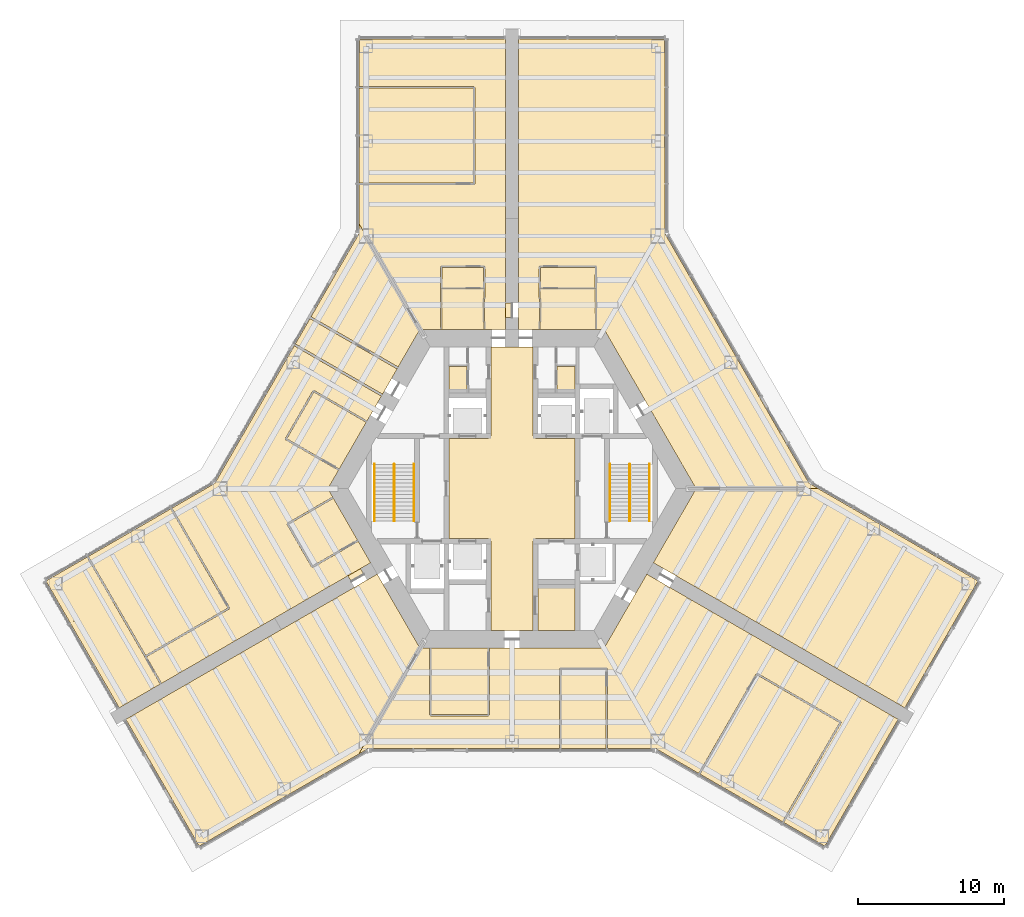
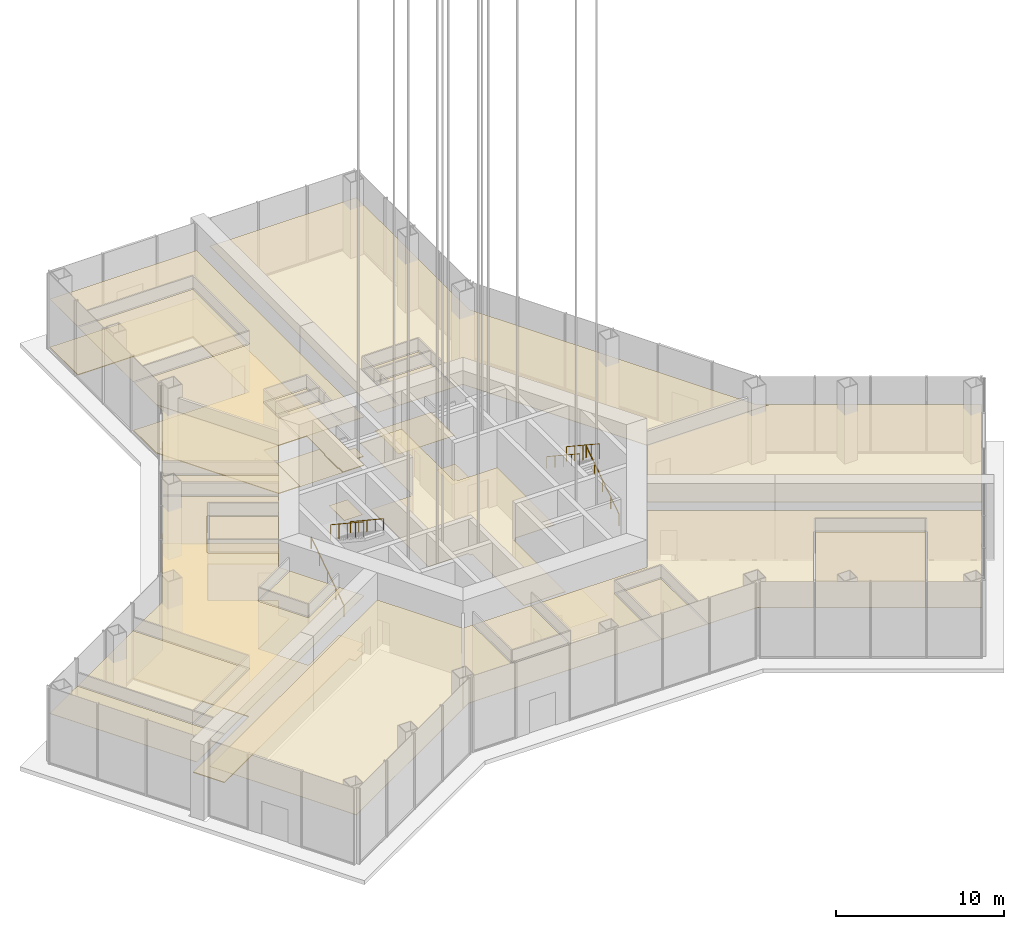
# One storey, part 17 of 18: 28 coverings, 6 railings.
"""IFC4 building model written with IfcOpenShell, lengths in metres."""

from ifc_helpers import new_model, si_unit, direction, frame, origin, origin_2d, place, context, subcontext, project, spatial, polyline, circle, outline, extrude, material, layer, layer_set, type_object, element, save


model = new_model("IFC4")

# Units and contexts
model_context = context("Model", 3, precision=1e-05, world=origin(), true_north=direction((0.0, 1.0)))
body_context = subcontext(model_context, "Body", "Model", "MODEL_VIEW")
ifc_project = project(units=[si_unit("LENGTHUNIT", "METRE"), si_unit("AREAUNIT", "SQUARE_METRE"), si_unit("VOLUMEUNIT", "CUBIC_METRE"), si_unit("PLANEANGLEUNIT", "RADIAN"), si_unit("MASSUNIT", "GRAM", prefix="KILO")], contexts=[model_context])

# Site, building, storey
site_placement = place(None, origin())
site = spatial("IfcSite", under=ifc_project, at=site_placement, CompositionType="ELEMENT")
building_placement = place(site_placement, origin())
building = spatial("IfcBuilding", under=site, at=building_placement, Name="Kasaneha Research Tower", CompositionType="ELEMENT")
storey_placement = place(building_placement, origin())
storey = spatial("IfcBuildingStorey", under=building, at=storey_placement, Name="L01", CompositionType="ELEMENT", Elevation=0.0)

# Coverings
ifc_material_1 = material(Name="Perforated aluminium acoustic ceiling", Category="aluminium")
ifc_layer_1 = layer(ifc_material_1, 0.030029296875)
ifc_layer_set_1 = layer_set([ifc_layer_1], Name="Acoustic ceiling 30")
covering_type_1 = type_object("IfcCoveringType", Name="Acoustic ceiling 30", PredefinedType="CEILING", material=ifc_layer_set_1)
covering_1_placement = place(storey_placement, frame((0.0, 0.0, 3.5)))
element("IfcCovering", 1, at=covering_1_placement, inside=storey, type_object=covering_type_1, Name="Ceiling L01-30", PredefinedType="CEILING", context=body_context, shape_type="SweptSolid", body=[
    extrude(outline(polyline([(1.89990234375, 10.925048828125), (1.89990234375, 10.945068359375), (1.949951171875, 10.945068359375), (1.949951171875, 11.425048828125), (2.0, 11.425048828125), (2.0, 13.02490234375), (1.949951171875, 13.02490234375), (1.954345703125, 13.669921875), (5.702392578125, 13.669921875), (5.70703125, 10.94482421875), (5.757080078125, 10.945068359375), (5.757080078125, 10.925048828125), (1.89990234375, 10.925048828125)])), origin(), (0.0, 0.0, 1.0), 0.030029296875),
])
covering_2_placement = place(storey_placement, frame((0.0, 0.0, 3.5)))
element("IfcCovering", 2, at=covering_2_placement, inside=storey, type_object=covering_type_1, Name="Ceiling L01-31", PredefinedType="CEILING", context=body_context, shape_type="SweptSolid", body=[
    extrude(outline(polyline([(1.954345703125, 13.77001953125), (1.9501953125, 15.175048828125), (5.706787109375, 15.175048828125), (5.702392578125, 13.77001953125), (1.954345703125, 13.77001953125)])), origin(), (0.0, 0.0, 1.0), 0.030029296875),
])
covering_3_placement = place(storey_placement, frame((0.0, 0.0, 3.5)))
element("IfcCovering", 3, at=covering_3_placement, inside=storey, type_object=covering_type_1, Name="Ceiling L01-32", PredefinedType="CEILING", context=body_context, shape_type="SweptSolid", body=[
    extrude(outline(polyline([(12.614990234375, 0.0), (6.3076171875, 10.925048828125), (5.757568359375, 10.925048828125), (5.757568359375, 10.945068359375), (5.806884765625, 10.945068359375), (5.80224609375, 13.724853515625), (5.806884765625, 15.224853515625), (5.75732421875, 15.22509765625), (5.75732421875, 15.225341796875), (5.757080078125, 15.225341796875), (5.757080078125, 15.27490234375), (1.89990234375, 15.27490234375), (1.89990234375, 15.225341796875), (1.899658203125, 15.225341796875), (1.899658203125, 15.22509765625), (1.85009765625, 15.224853515625), (1.8544921875, 13.72509765625), (1.85009765625, 13.025390625), (1.8994140625, 13.02490234375), (1.8994140625, 13.02490234375), (1.89990234375, 13.02490234375), (1.89990234375, 11.425048828125), (1.8994140625, 11.425048828125), (1.8994140625, 11.425048828125), (1.85009765625, 11.425048828125), (1.85009765625, 10.945068359375), (1.8994140625, 10.945068359375), (1.8994140625, 10.925048828125), (0.449951171875, 10.925048828125), (0.449951171875, 11.72509765625), (0.449951171875, 12.72509765625), (0.449951171875, 30.820556640625), (10.5, 30.820556640625), (10.5, 17.45458984375), (20.365966796875, 0.365966796875), (21.0, 0.0), (12.614990234375, 0.0)])), origin(), (0.0, 0.0, 1.0), 0.030029296875),
])
covering_4_placement = place(storey_placement, frame((0.0, 0.0, 3.5)))
element("IfcCovering", 4, at=covering_4_placement, inside=storey, type_object=covering_type_1, Name="Ceiling L01-33", PredefinedType="CEILING", context=body_context, shape_type="SweptSolid", body=[
    extrude(outline(polyline([(-1.89990234375, 10.925048828125), (-4.85009765625, 10.925048828125), (-4.85009765625, 10.945068359375), (-4.800048828125, 10.94482421875), (-4.79541015625, 13.669921875), (-1.9541015625, 13.669921875), (-1.949951171875, 13.02490234375), (-2.0, 13.02490234375), (-2.0, 11.425048828125), (-1.949951171875, 11.425048828125), (-1.949951171875, 10.945068359375), (-1.89990234375, 10.945068359375), (-1.89990234375, 10.925048828125)])), origin(), (0.0, 0.0, 1.0), 0.030029296875),
])
covering_5_placement = place(storey_placement, frame((0.0, 0.0, 3.5)))
element("IfcCovering", 5, at=covering_5_placement, inside=storey, type_object=covering_type_1, Name="Ceiling L01-34", PredefinedType="CEILING", context=body_context, shape_type="SweptSolid", body=[
    extrude(outline(polyline([(-1.954345703125, 13.77001953125), (-4.79541015625, 13.77001953125), (-4.7998046875, 15.175048828125), (-1.9501953125, 15.175048828125), (-1.954345703125, 13.77001953125)])), origin(), (0.0, 0.0, 1.0), 0.030029296875),
])
covering_6_placement = place(storey_placement, frame((0.0, 0.0, 3.5)))
element("IfcCovering", 6, at=covering_6_placement, inside=storey, type_object=covering_type_1, Name="Ceiling L01-35", PredefinedType="CEILING", context=body_context, shape_type="SweptSolid", body=[
    extrude(outline(polyline([(-10.5, 27.460693359375), (-2.64990234375, 27.460693359375), (-2.64990234375, 20.941162109375), (-10.5, 20.941162109375), (-10.5, 27.460693359375)])), origin(), (0.0, 0.0, 1.0), 0.030029296875),
])
covering_7_placement = place(storey_placement, frame((0.0, 0.0, 3.5)))
element("IfcCovering", 7, at=covering_7_placement, inside=storey, type_object=covering_type_1, Name="Ceiling L01-36", PredefinedType="CEILING", context=body_context, shape_type="SweptSolid", body=[
    extrude(outline(polyline([(-1.8994140625, 10.925048828125), (-1.8994140625, 10.945068359375), (-1.85009765625, 10.945068359375), (-1.85009765625, 11.425048828125), (-1.8994140625, 11.425048828125), (-1.8994140625, 11.425048828125), (-1.89990234375, 11.425048828125), (-1.89990234375, 13.02490234375), (-1.8994140625, 13.02490234375), (-1.8994140625, 13.02490234375), (-1.85009765625, 13.025390625), (-1.8544921875, 13.72509765625), (-1.85009765625, 15.224853515625), (-1.899658203125, 15.22509765625), (-1.899658203125, 15.225341796875), (-1.89990234375, 15.225341796875), (-1.89990234375, 15.27490234375), (-4.85009765625, 15.27490234375), (-4.85009765625, 15.2255859375), (-4.85009765625, 15.2255859375), (-4.85009765625, 15.22509765625), (-4.89990234375, 15.224853515625), (-4.895263671875, 13.724853515625), (-4.89990234375, 10.945068359375), (-4.8505859375, 10.945068359375), (-4.8505859375, 10.925048828125), (-6.3076171875, 10.925048828125), (-10.5, 18.1865234375), (-10.5, 20.841064453125), (-2.60009765625, 20.841064453125), (-2.60009765625, 20.89111328125), (-2.599609375, 20.89111328125), (-2.599609375, 20.89111328125), (-2.550048828125, 20.89111328125), (-2.550048828125, 27.5107421875), (-2.599609375, 27.5107421875), (-2.599609375, 27.510986328125), (-2.60009765625, 27.510986328125), (-2.60009765625, 27.560791015625), (-10.5, 27.560791015625), (-10.5, 30.820556640625), (-0.449951171875, 30.820556640625), (-0.449951171875, 12.72509765625), (-0.449951171875, 11.72509765625), (-0.449951171875, 10.925048828125), (-1.8994140625, 10.925048828125)])), origin(), (0.0, 0.0, 1.0), 0.030029296875),
])
covering_8_placement = place(storey_placement, frame((0.0, 0.0, 3.5)))
element("IfcCovering", 8, at=covering_8_placement, inside=storey, type_object=covering_type_1, Name="Ceiling L01-37", PredefinedType="CEILING", context=body_context, shape_type="SweptSolid", body=[
    extrude(outline(polyline([(-23.34228515625, -1.352294921875), (-23.332275390625, -1.36962890625), (-23.37548828125, -1.39453125), (-19.46044921875, -8.175537109375), (-25.10400390625, -11.42919921875), (-29.03173828125, -4.63720703125), (-23.34228515625, -1.352294921875)])), origin(), (0.0, 0.0, 1.0), 0.030029296875),
])
covering_9_placement = place(storey_placement, frame((0.0, 0.0, 3.5)))
element("IfcCovering", 9, at=covering_9_placement, inside=storey, type_object=covering_type_1, Name="Ceiling L01-38", PredefinedType="CEILING", context=body_context, shape_type="SweptSolid", body=[
    extrude(outline(polyline([(-10.50048828125, 17.45458984375), (-10.5, 18.18701171875), (-6.30712890625, 10.9248046875), (-7.819580078125, 8.30615234375), (-7.800537109375, 8.3388671875), (-13.7548828125, 11.776611328125), (-13.79248046875, 11.711669921875), (-13.809814453125, 11.7216796875), (-10.50048828125, 17.45458984375)])), origin(), (0.0, 0.0, 1.0), 0.030029296875),
])
covering_10_placement = place(storey_placement, frame((0.0, 0.0, 3.5)))
element("IfcCovering", 10, at=covering_10_placement, inside=storey, type_object=covering_type_1, Name="Ceiling L01-39", PredefinedType="CEILING", context=body_context, shape_type="SweptSolid", body=[
    extrude(outline(polyline([(-29.501220703125, -8.7763671875), (-30.266845703125, -9.218017578125), (-31.94189453125, -6.317138671875), (-29.075439453125, -4.661865234375), (-29.0751953125, -4.662353515625), (-29.1181640625, -4.68701171875), (-25.16552734375, -11.522216796875), (-25.169921875, -11.52490234375), (-24.111083984375, -13.37744140625), (-24.067626953125, -13.352783203125), (-24.0576171875, -13.3701171875), (-26.916259765625, -15.0205078125), (-30.266357421875, -9.21826171875), (-29.501220703125, -8.7763671875)])), origin(), (0.0, 0.0, 1.0), 0.030029296875),
])
covering_11_placement = place(storey_placement, frame((0.0, 0.0, 3.5)))
element("IfcCovering", 11, at=covering_11_placement, inside=storey, type_object=covering_type_1, Name="Ceiling L01-40", PredefinedType="CEILING", context=body_context, shape_type="SweptSolid", body=[
    extrude(outline(polyline([(-11.861328125, 1.3056640625), (-11.878662109375, 1.315673828125), (-11.853515625, 1.35888671875), (-15.430419921875, 3.423828125), (-13.580322265625, 6.628173828125), (-10.003662109375, 4.563232421875), (-9.978515625, 4.6064453125), (-9.96142578125, 4.596435546875), (-11.861328125, 1.3056640625)])), origin(), (0.0, 0.0, 1.0), 0.030029296875),
])
covering_12_placement = place(storey_placement, frame((0.0, 0.0, 3.5)))
element("IfcCovering", 12, at=covering_12_placement, inside=storey, type_object=covering_type_1, Name="Ceiling L01-41", PredefinedType="CEILING", context=body_context, shape_type="SweptSolid", body=[
    extrude(outline(polyline([(-10.561279296875, -3.55712890625), (-10.57861328125, -3.567138671875), (-10.603515625, -3.52392578125), (-13.66064453125, -5.288818359375), (-15.310791015625, -2.43115234375), (-12.253662109375, -0.666015625), (-12.278564453125, -0.622802734375), (-12.26123046875, -0.61279296875), (-10.561279296875, -3.55712890625)])), origin(), (0.0, 0.0, 1.0), 0.030029296875),
])
covering_13_placement = place(storey_placement, frame((0.0, 0.0, 3.5)))
element("IfcCovering", 13, at=covering_13_placement, inside=storey, type_object=covering_type_1, Name="Ceiling L01-42", PredefinedType="CEILING", context=body_context, shape_type="SweptSolid", body=[
    extrude(outline(polyline([(-12.614990234375, 0.0), (-12.261474609375, -0.6123046875), (-12.27880859375, -0.622314453125), (-12.3037109375, -0.57958984375), (-15.404052734375, -2.369384765625), (-15.37890625, -2.412841796875), (-15.37939453125, -2.4130859375), (-15.37939453125, -2.4130859375), (-15.42236328125, -2.437744140625), (-13.722412109375, -5.382080078125), (-13.679443359375, -5.357421875), (-13.67919921875, -5.357666015625), (-13.6787109375, -5.357421875), (-13.654052734375, -5.400390625), (-10.5537109375, -3.610595703125), (-10.578369140625, -3.567626953125), (-10.56103515625, -3.5576171875), (-9.686279296875, -5.07275390625), (-17.831787109375, -9.775634765625), (-24.0576171875, -13.3701171875), (-24.067626953125, -13.352783203125), (-24.024169921875, -13.327880859375), (-25.058349609375, -11.518310546875), (-19.3671875, -8.2373046875), (-19.39208984375, -8.194091796875), (-19.3916015625, -8.19384765625), (-19.391845703125, -8.193603515625), (-19.348876953125, -8.1689453125), (-23.288818359375, -1.344482421875), (-23.331787109375, -1.369384765625), (-23.341796875, -1.35205078125), (-20.365966796875, 0.365966796875), (-14.885498046875, 9.858642578125), (-14.8681640625, 9.8486328125), (-14.90576171875, 9.78369140625), (-8.951416015625, 6.345947265625), (-9.161376953125, 5.982177734375), (-9.156982421875, 5.9794921875), (-9.757080078125, 4.9404296875), (-9.76123046875, 4.94287109375), (-9.961181640625, 4.596923828125), (-9.978271484375, 4.60693359375), (-9.95361328125, 4.64990234375), (-13.573486328125, 6.73974609375), (-13.598388671875, 6.69677734375), (-13.598876953125, 6.697021484375), (-13.598876953125, 6.69677734375), (-13.641845703125, 6.721435546875), (-15.5419921875, 3.4306640625), (-15.4990234375, 3.40576171875), (-15.4990234375, 3.405517578125), (-15.498779296875, 3.4052734375), (-15.523681640625, 3.3623046875), (-11.903564453125, 1.272216796875), (-11.87890625, 1.315185546875), (-11.861572265625, 1.30517578125), (-12.614990234375, 0.0)])), origin(), (0.0, 0.0, 1.0), 0.030029296875),
])
covering_14_placement = place(storey_placement, frame((0.0, 0.0, 3.5)))
element("IfcCovering", 14, at=covering_14_placement, inside=storey, type_object=covering_type_1, Name="Ceiling L01-43", PredefinedType="CEILING", context=body_context, shape_type="SweptSolid", body=[
    extrude(outline(polyline([(-13.81005859375, 11.72119140625), (-13.792724609375, 11.711181640625), (-13.830078125, 11.646728515625), (-7.87548828125, 8.208984375), (-7.838134765625, 8.27392578125), (-7.833740234375, 8.271484375), (-8.909423828125, 6.408203125), (-8.913818359375, 6.410888671875), (-8.876220703125, 6.475830078125), (-14.830810546875, 9.91357421875), (-14.8681640625, 9.8486328125), (-14.885498046875, 9.858642578125), (-13.81005859375, 11.72119140625)])), origin(), (0.0, 0.0, 1.0), 0.030029296875),
])
covering_15_placement = place(storey_placement, frame((0.0, 0.0, 3.5)))
element("IfcCovering", 15, at=covering_15_placement, inside=storey, type_object=covering_type_1, Name="Ceiling L01-44", PredefinedType="CEILING", context=body_context, shape_type="SweptSolid", body=[
    extrude(outline(polyline([(-9.236328125, -5.852294921875), (-6.3076171875, -10.925048828125), (-10.5, -18.1865234375), (-21.44140625, -24.50341796875), (-26.46630859375, -15.800048828125), (-9.92919921875, -6.252197265625), (-9.92919921875, -6.252197265625), (-9.236328125, -5.852294921875)])), origin(), (0.0, 0.0, 1.0), 0.030029296875),
])
covering_16_placement = place(storey_placement, frame((0.0, 0.0, 3.5)))
element("IfcCovering", 16, at=covering_16_placement, inside=storey, type_object=covering_type_1, Name="Ceiling L01-45", PredefinedType="CEILING", context=body_context, shape_type="SweptSolid", body=[
    extrude(outline(polyline([(9.686279296875, -5.07275390625), (12.614990234375, 0.0), (21.0, 0.0), (31.94140625, -6.31689453125), (26.916259765625, -15.0205078125), (15.9169921875, -8.670166015625), (9.686279296875, -5.07275390625)])), origin(), (0.0, 0.0, 1.0), 0.030029296875),
])
covering_17_placement = place(storey_placement, frame((0.0, 0.0, 3.5)))
element("IfcCovering", 17, at=covering_17_placement, inside=storey, type_object=covering_type_1, Name="Ceiling L01-46", PredefinedType="CEILING", context=body_context, shape_type="SweptSolid", body=[
    extrude(outline(polyline([(12.84228515625, -19.538818359375), (12.84228515625, -19.538818359375), (12.885498046875, -19.563720703125), (16.810546875, -12.765380859375), (22.456787109375, -16.025390625), (18.541748046875, -22.806396484375), (18.5849609375, -22.831298828125), (18.574951171875, -22.8486328125), (12.84228515625, -19.538818359375)])), origin(), (0.0, 0.0, 1.0), 0.030029296875),
])
covering_18_placement = place(storey_placement, frame((0.0, 0.0, 3.5)))
element("IfcCovering", 18, at=covering_18_placement, inside=storey, type_object=covering_type_1, Name="Ceiling L01-47", PredefinedType="CEILING", context=body_context, shape_type="SweptSolid", body=[
    extrude(outline(polyline([(3.309814453125, -17.820556640625), (3.309814453125, -17.800537109375), (3.35986328125, -17.800537109375), (3.35986328125, -12.37060546875), (6.44287109375, -12.37060546875), (6.44287109375, -17.800537109375), (6.492919921875, -17.800537109375), (6.492919921875, -17.820556640625), (3.309814453125, -17.820556640625)])), origin(), (0.0, 0.0, 1.0), 0.030029296875),
])
covering_19_placement = place(storey_placement, frame((0.0, 0.0, 3.5)))
element("IfcCovering", 19, at=covering_19_placement, inside=storey, type_object=covering_type_1, Name="Ceiling L01-48", PredefinedType="CEILING", context=body_context, shape_type="SweptSolid", body=[
    extrude(outline(polyline([(-1.60009765625, -10.925048828125), (-1.60009765625, -10.945068359375), (-1.64990234375, -10.945068359375), (-1.64990234375, -15.47509765625), (-5.550048828125, -15.47509765625), (-5.550048828125, -10.945068359375), (-5.60009765625, -10.945068359375), (-5.60009765625, -10.925048828125), (-1.60009765625, -10.925048828125)])), origin(), (0.0, 0.0, 1.0), 0.030029296875),
])
covering_20_placement = place(storey_placement, frame((0.0, 0.0, 3.5)))
element("IfcCovering", 20, at=covering_20_placement, inside=storey, type_object=covering_type_1, Name="Ceiling L01-49", PredefinedType="CEILING", context=body_context, shape_type="SweptSolid", body=[
    extrude(outline(polyline([(6.492919921875, -12.3203125), (6.492919921875, -12.2705078125), (3.309814453125, -12.2705078125), (3.309814453125, -12.320556640625), (3.259765625, -12.320556640625), (3.259765625, -17.800537109375), (3.309326171875, -17.800537109375), (3.309326171875, -17.820556640625), (-9.865966796875, -17.820556640625), (-10.5, -18.1865234375), (-6.3076171875, -10.925048828125), (-5.6005859375, -10.925048828125), (-5.6005859375, -10.945068359375), (-5.64990234375, -10.945068359375), (-5.64990234375, -15.52490234375), (-5.600341796875, -15.52490234375), (-5.600341796875, -15.525390625), (-5.60009765625, -15.525390625), (-5.60009765625, -15.574951171875), (-1.60009765625, -15.574951171875), (-1.60009765625, -15.525390625), (-1.599853515625, -15.525390625), (-1.599853515625, -15.52490234375), (-1.550048828125, -15.52490234375), (-1.550048828125, -10.945068359375), (-1.599609375, -10.945068359375), (-1.599609375, -10.925048828125), (6.3076171875, -10.925048828125), (9.236328125, -5.852294921875), (26.46630859375, -15.800048828125), (21.44140625, -24.50341796875), (18.575439453125, -22.848876953125), (18.58544921875, -22.83154296875), (18.62841796875, -22.856201171875), (22.568359375, -16.031982421875), (22.525146484375, -16.007080078125), (22.525390625, -16.0068359375), (22.525146484375, -16.006591796875), (22.550048828125, -15.963623046875), (16.817138671875, -12.65380859375), (16.79248046875, -12.69677734375), (16.79248046875, -12.69677734375), (16.792236328125, -12.697265625), (16.748779296875, -12.672119140625), (12.798828125, -19.513916015625), (12.841796875, -19.53857421875), (12.841796875, -19.53857421875), (9.865966796875, -17.820556640625), (6.493408203125, -17.820556640625), (6.493408203125, -17.800537109375), (6.542724609375, -17.800537109375), (6.542724609375, -12.320556640625), (6.4931640625, -12.320556640625), (6.4931640625, -12.3203125), (6.492919921875, -12.3203125)])), origin(), (0.0, 0.0, 1.0), 0.030029296875),
])
ifc_material_2 = material(Name="Granite on mortar bed", Category="masonry")
ifc_layer_2 = layer(ifc_material_2, 0.050048828125)
ifc_layer_set_2 = layer_set([ifc_layer_2], Name="Granite floor 50")
covering_type_2 = type_object("IfcCoveringType", Name="Granite floor 50", PredefinedType="FLOORING", material=ifc_layer_set_2)
covering_21_placement = place(storey_placement, origin())
element("IfcCovering", 21, at=covering_21_placement, inside=storey, type_object=covering_type_2, Name="Floor finish L01-36", PredefinedType="FLOORING", context=body_context, shape_type="SweptSolid", body=[
    extrude(outline(polyline([(-0.449951171875, 12.72509765625), (-0.02490234375, 12.72509765625), (-0.02490234375, 11.72509765625), (-0.449951171875, 11.72509765625), (-0.449951171875, 10.925048828125), (-1.8994140625, 10.925048828125), (-1.8994140625, 11.425048828125), (-1.949462890625, 11.425537109375), (-1.949462890625, 13.0244140625), (-1.8994140625, 13.02490234375), (-1.899658203125, 15.225341796875), (-4.85009765625, 15.2255859375), (-4.8505859375, 10.925048828125), (-6.3076171875, 10.925048828125), (-10.5, 18.1865234375), (-10.5, 20.890625), (-2.599609375, 20.89111328125), (-2.599609375, 27.510986328125), (-10.5, 27.51123046875), (-10.5, 30.820556640625), (-0.449951171875, 30.820556640625), (-0.449951171875, 12.72509765625)])), origin(), (0.0, 0.0, 1.0), 0.050048828125),
])
covering_22_placement = place(storey_placement, origin())
element("IfcCovering", 22, at=covering_22_placement, inside=storey, type_object=covering_type_2, Name="Floor finish L01-42", PredefinedType="FLOORING", context=body_context, shape_type="SweptSolid", body=[
    extrude(outline(polyline([(-15.4990234375, 3.405517578125), (-11.861572265625, 1.30517578125), (-12.614990234375, 0.0), (-12.261474609375, -0.6123046875), (-15.37939453125, -2.4130859375), (-13.67919921875, -5.357666015625), (-10.56103515625, -3.5576171875), (-9.686279296875, -5.07275390625), (-10.379150390625, -5.472900390625), (-10.166748046875, -5.8408203125), (-11.03271484375, -6.3408203125), (-11.2451171875, -5.972900390625), (-24.0576171875, -13.3701171875), (-25.132080078125, -11.509033203125), (-19.3916015625, -8.19384765625), (-23.341796875, -1.35205078125), (-20.365966796875, 0.365966796875), (-14.885498046875, 9.858642578125), (-8.913818359375, 6.410888671875), (-9.161376953125, 5.982177734375), (-9.156982421875, 5.9794921875), (-9.757080078125, 4.9404296875), (-9.76123046875, 4.94287109375), (-9.961181640625, 4.596923828125), (-13.598876953125, 6.697021484375), (-15.4990234375, 3.405517578125)])), origin(), (0.0, 0.0, 1.0), 0.050048828125),
])
ifc_material_3 = material(Name="Aluminium panel ceiling", Category="aluminium")
ifc_layer_3 = layer(ifc_material_3, 0.0400390625)
ifc_layer_set_3 = layer_set([ifc_layer_3], Name="Lift lobby ceiling 40")
covering_type_3 = type_object("IfcCoveringType", Name="Lift lobby ceiling 40", PredefinedType="CEILING", material=ifc_layer_set_3)
covering_23_placement = place(storey_placement, frame((0.0, 0.0, 2.699951171875)))
element("IfcCovering", 23, at=covering_23_placement, inside=storey, type_object=covering_type_3, Name="Ceiling L01-01", PredefinedType="CEILING", context=body_context, shape_type="SweptSolid", body=[
    extrude(outline(polyline([(1.425048828125, 9.72509765625), (1.425048828125, 3.60009765625), (1.60009765625, 3.60009765625), (1.60009765625, 3.425048828125), (4.324951171875, 3.425048828125), (4.324951171875, -3.425048828125), (1.60009765625, -3.425048828125), (1.60009765625, -3.60009765625), (1.425048828125, -3.60009765625), (1.425048828125, -9.72509765625), (-1.425048828125, -9.72509765625), (-1.425048828125, -3.60009765625), (-1.60009765625, -3.60009765625), (-1.60009765625, -3.425048828125), (-4.324951171875, -3.425048828125), (-4.324951171875, 3.425048828125), (-1.60009765625, 3.425048828125), (-1.60009765625, 3.60009765625), (-1.425048828125, 3.60009765625), (-1.425048828125, 9.72509765625), (1.425048828125, 9.72509765625)])), origin(), (0.0, 0.0, 1.0), 0.0400390625),
])

# Railings
ifc_material_4 = material(Name="Steel", Category="steel")
railing_type_1 = type_object("IfcRailingType", Name="Stair balustrade 1100", PredefinedType="GUARDRAIL", material=ifc_material_4)
for number, where, name in (
    (24, (8.074951171875, 1.675048828125, 2.921875), "Stair 1 balustrade L01"),
    (25, (-8.074951171875, 1.675048828125, 2.921875), "Stair 2 balustrade L01"),
):
    element("IfcRailing", number, at=place(storey_placement, frame(where)), inside=storey, type_object=railing_type_1, Name=name, PredefinedType="GUARDRAIL", context=body_context, shape_type="SweptSolid", body=[
        extrude(circle(Radius=0.02392578125, at=origin_2d()), frame((0.0, 0.0, 1.076171875), z_axis=(0.0, -0.834213067308, 0.551442252944), x_axis=(1.0, 0.0, 0.0)), (0.0, 0.0, 1.0), 4.67529296875),
        extrude(circle(Radius=0.02099609375, at=origin_2d()), origin(), (0.0, 0.0, 1.0), 1.052001953125),
        extrude(circle(Radius=0.02099609375, at=origin_2d()), frame((0.0, -0.97509765625, 0.64453125)), (0.0, 0.0, 1.0), 1.052001953125),
        extrude(circle(Radius=0.02099609375, at=origin_2d()), frame((0.0, -1.9501953125, 1.2890625)), (0.0, 0.0, 1.0), 1.052001953125),
        extrude(circle(Radius=0.02099609375, at=origin_2d()), frame((0.0, -2.925048828125, 1.93359375)), (0.0, 0.0, 1.0), 1.052001953125),
        extrude(circle(Radius=0.02099609375, at=origin_2d()), frame((0.0, -3.900146484375, 2.578125)), (0.0, 0.0, 1.0), 1.052001953125),
    ])
ifc_material_5 = material(Name="Steel", Category="steel")
railing_type_2 = type_object("IfcRailingType", Name="Stair handrail 850", PredefinedType="HANDRAIL", material=ifc_material_5)
railing_1_placement = place(storey_placement, frame((9.425048828125, -2.22509765625, 0.171875)))
element("IfcRailing", 26, at=railing_1_placement, inside=storey, type_object=railing_type_2, Name="Stair 1 handrail L01", PredefinedType="HANDRAIL", context=body_context, shape_type="SweptSolid", body=[
    extrude(circle(Radius=0.02392578125, at=origin_2d()), frame((0.0, 0.0, 0.826171875), z_axis=(0.0, 0.834213067308, 0.551442252944), x_axis=(-1.0, 0.0, 0.0)), (0.0, 0.0, 1.0), 4.67529296875),
    extrude(circle(Radius=0.02099609375, at=origin_2d()), origin(), (0.0, 0.0, 1.0), 0.802001953125),
    extrude(circle(Radius=0.02099609375, at=origin_2d()), frame((0.0, 0.97509765625, 0.64453125)), (0.0, 0.0, 1.0), 0.802001953125),
    extrude(circle(Radius=0.02099609375, at=origin_2d()), frame((0.0, 1.9501953125, 1.2890625)), (0.0, 0.0, 1.0), 0.802001953125),
    extrude(circle(Radius=0.02099609375, at=origin_2d()), frame((0.0, 2.925048828125, 1.93359375)), (0.0, 0.0, 1.0), 0.802001953125),
    extrude(circle(Radius=0.02099609375, at=origin_2d()), frame((0.0, 3.900146484375, 2.578125)), (0.0, 0.0, 1.0), 0.802001953125),
])
railing_2_placement = place(storey_placement, frame((6.72509765625, 1.675048828125, 2.921875)))
element("IfcRailing", 27, at=railing_2_placement, inside=storey, type_object=railing_type_2, Name="Stair 1 handrail L01", PredefinedType="HANDRAIL", context=body_context, shape_type="SweptSolid", body=[
    extrude(circle(Radius=0.02392578125, at=origin_2d()), frame((0.0, 0.0, 0.826171875), z_axis=(0.0, -0.834213067308, 0.551442252944), x_axis=(1.0, 0.0, 0.0)), (0.0, 0.0, 1.0), 4.67529296875),
    extrude(circle(Radius=0.02099609375, at=origin_2d()), origin(), (0.0, 0.0, 1.0), 0.802001953125),
    extrude(circle(Radius=0.02099609375, at=origin_2d()), frame((0.0, -0.97509765625, 0.64453125)), (0.0, 0.0, 1.0), 0.802001953125),
    extrude(circle(Radius=0.02099609375, at=origin_2d()), frame((0.0, -1.9501953125, 1.2890625)), (0.0, 0.0, 1.0), 0.802001953125),
    extrude(circle(Radius=0.02099609375, at=origin_2d()), frame((0.0, -2.925048828125, 1.93359375)), (0.0, 0.0, 1.0), 0.802001953125),
    extrude(circle(Radius=0.02099609375, at=origin_2d()), frame((0.0, -3.900146484375, 2.578125)), (0.0, 0.0, 1.0), 0.802001953125),
])
railing_3_placement = place(storey_placement, frame((-9.425048828125, -2.22509765625, 0.171875)))
element("IfcRailing", 28, at=railing_3_placement, inside=storey, type_object=railing_type_2, Name="Stair 2 handrail L01", PredefinedType="HANDRAIL", context=body_context, shape_type="SweptSolid", body=[
    extrude(circle(Radius=0.02392578125, at=origin_2d()), frame((0.0, 0.0, 0.826171875), z_axis=(0.0, 0.834213067308, 0.551442252944), x_axis=(-1.0, 0.0, 0.0)), (0.0, 0.0, 1.0), 4.67529296875),
    extrude(circle(Radius=0.02099609375, at=origin_2d()), origin(), (0.0, 0.0, 1.0), 0.802001953125),
    extrude(circle(Radius=0.02099609375, at=origin_2d()), frame((0.0, 0.97509765625, 0.64453125)), (0.0, 0.0, 1.0), 0.802001953125),
    extrude(circle(Radius=0.02099609375, at=origin_2d()), frame((0.0, 1.9501953125, 1.2890625)), (0.0, 0.0, 1.0), 0.802001953125),
    extrude(circle(Radius=0.02099609375, at=origin_2d()), frame((0.0, 2.925048828125, 1.93359375)), (0.0, 0.0, 1.0), 0.802001953125),
    extrude(circle(Radius=0.02099609375, at=origin_2d()), frame((0.0, 3.900146484375, 2.578125)), (0.0, 0.0, 1.0), 0.802001953125),
])
railing_4_placement = place(storey_placement, frame((-6.72509765625, 1.675048828125, 2.921875)))
element("IfcRailing", 29, at=railing_4_placement, inside=storey, type_object=railing_type_2, Name="Stair 2 handrail L01", PredefinedType="HANDRAIL", context=body_context, shape_type="SweptSolid", body=[
    extrude(circle(Radius=0.02392578125, at=origin_2d()), frame((0.0, 0.0, 0.826171875), z_axis=(0.0, -0.834213067308, 0.551442252944), x_axis=(1.0, 0.0, 0.0)), (0.0, 0.0, 1.0), 4.67529296875),
    extrude(circle(Radius=0.02099609375, at=origin_2d()), origin(), (0.0, 0.0, 1.0), 0.802001953125),
    extrude(circle(Radius=0.02099609375, at=origin_2d()), frame((0.0, -0.97509765625, 0.64453125)), (0.0, 0.0, 1.0), 0.802001953125),
    extrude(circle(Radius=0.02099609375, at=origin_2d()), frame((0.0, -1.9501953125, 1.2890625)), (0.0, 0.0, 1.0), 0.802001953125),
    extrude(circle(Radius=0.02099609375, at=origin_2d()), frame((0.0, -2.925048828125, 1.93359375)), (0.0, 0.0, 1.0), 0.802001953125),
    extrude(circle(Radius=0.02099609375, at=origin_2d()), frame((0.0, -3.900146484375, 2.578125)), (0.0, 0.0, 1.0), 0.802001953125),
])

# Coverings
ifc_material_6 = material(Name="Vinyl sheet flooring", Category="plastic")
ifc_layer_4 = layer(ifc_material_6, 0.0048828125)
ifc_layer_set_4 = layer_set([ifc_layer_4], Name="Wet room sheet flooring 5")
covering_type_4 = type_object("IfcCoveringType", Name="Wet room sheet flooring 5", PredefinedType="FLOORING", material=ifc_layer_set_4)
covering_24_placement = place(storey_placement, origin())
element("IfcCovering", 30, at=covering_24_placement, inside=storey, type_object=covering_type_4, Name="Floor finish L01-07", PredefinedType="FLOORING", context=body_context, shape_type="SweptSolid", body=[
    extrude(outline(polyline([(-4.324951171875, 6.574951171875), (-4.324951171875, 8.375), (-3.074951171875, 8.375), (-3.074951171875, 6.574951171875), (-4.324951171875, 6.574951171875)])), origin(), (0.0, 0.0, 1.0), 0.0048828125),
])
covering_25_placement = place(storey_placement, origin())
element("IfcCovering", 31, at=covering_25_placement, inside=storey, type_object=covering_type_4, Name="Floor finish L01-10", PredefinedType="FLOORING", context=body_context, shape_type="SweptSolid", body=[
    extrude(outline(polyline([(3.074951171875, 6.574951171875), (3.074951171875, 8.375), (4.324951171875, 8.375), (4.324951171875, 7.0), (4.324951171875, 6.574951171875), (3.074951171875, 6.574951171875)])), origin(), (0.0, 0.0, 1.0), 0.0048828125),
])
covering_26_placement = place(storey_placement, origin())
element("IfcCovering", 32, at=covering_26_placement, inside=storey, type_object=covering_type_4, Name="Floor finish L01-13", PredefinedType="FLOORING", context=body_context, shape_type="SweptSolid", body=[
    extrude(outline(polyline([(1.77490234375, -9.72509765625), (1.77490234375, -6.574951171875), (4.324951171875, -6.574951171875), (4.324951171875, -9.72509765625), (1.77490234375, -9.72509765625)])), origin(), (0.0, 0.0, 1.0), 0.0048828125),
])
covering_27_placement = place(storey_placement, origin())
element("IfcCovering", 33, at=covering_27_placement, inside=storey, type_object=covering_type_4, Name="Floor finish L01-30", PredefinedType="FLOORING", context=body_context, shape_type="SweptSolid", body=[
    extrude(outline(polyline([(5.757080078125, 13.72509765625), (5.757080078125, 10.925048828125), (1.89990234375, 10.925048828125), (1.89990234375, 11.425048828125), (1.949951171875, 11.425048828125), (1.949951171875, 13.02490234375), (1.89990234375, 13.02490234375), (1.89990234375, 13.72509765625), (5.757080078125, 13.72509765625)])), origin(), (0.0, 0.0, 1.0), 0.0048828125),
])
covering_28_placement = place(storey_placement, origin())
element("IfcCovering", 34, at=covering_28_placement, inside=storey, type_object=covering_type_4, Name="Floor finish L01-33", PredefinedType="FLOORING", context=body_context, shape_type="SweptSolid", body=[
    extrude(outline(polyline([(-1.89990234375, 13.72509765625), (-1.89990234375, 13.02490234375), (-1.949951171875, 13.02490234375), (-1.949951171875, 11.425048828125), (-1.89990234375, 11.425048828125), (-1.89990234375, 10.925048828125), (-4.85009765625, 10.925048828125), (-4.85009765625, 13.72509765625), (-1.89990234375, 13.72509765625)])), origin(), (0.0, 0.0, 1.0), 0.0048828125),
])

save(model, "model.ifc")
